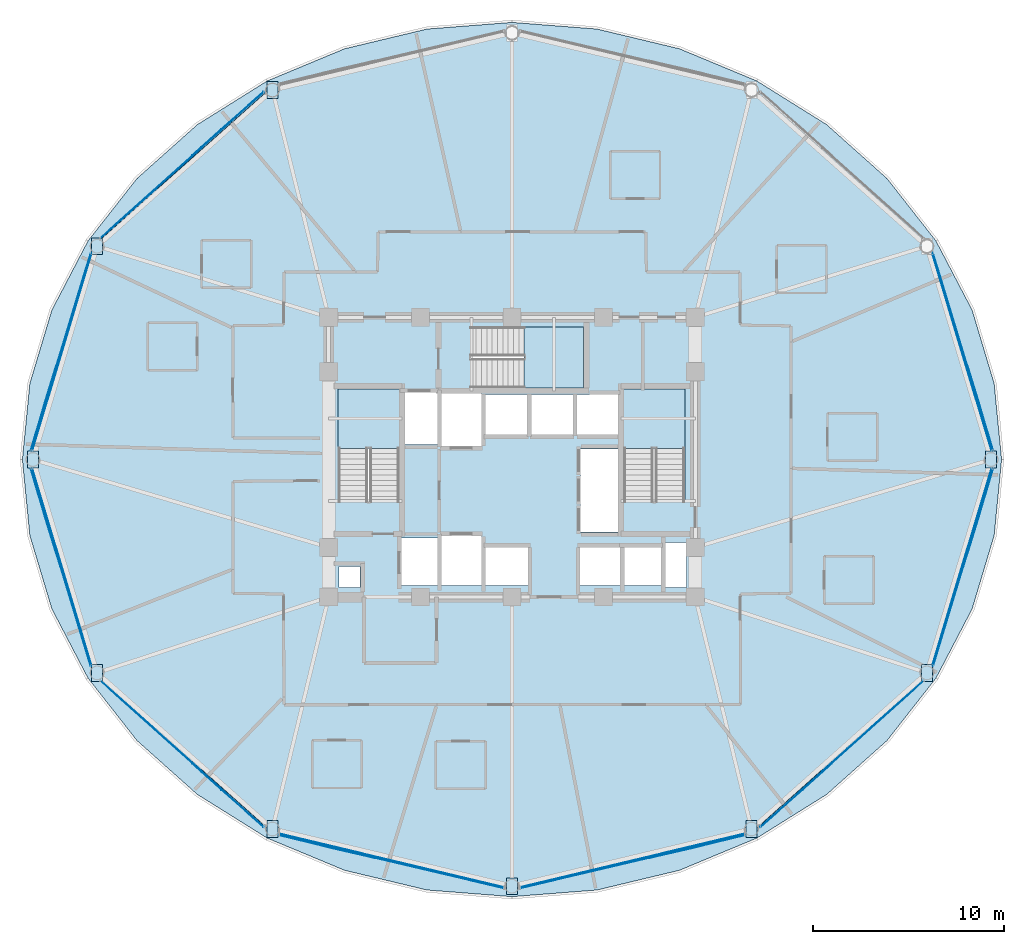
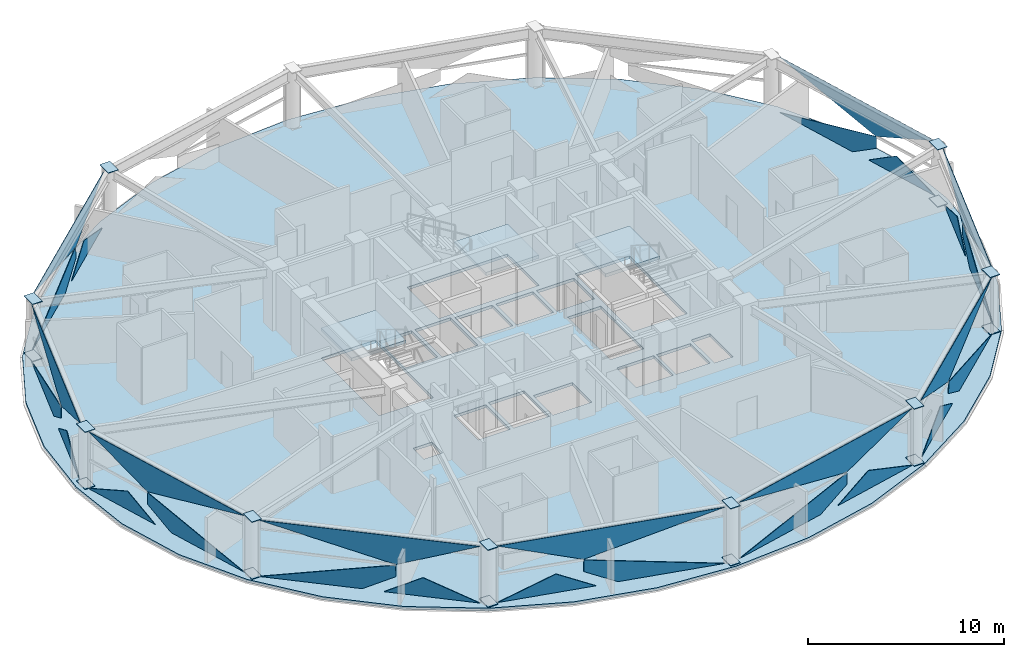
# One storey, part 22 of 30: 44 plates, 4 slabs, 12 elements without a shape of their own.
"""IFC4 building model written with IfcOpenShell, lengths in metres."""

from ifc_helpers import new_model, si_unit, direction, frame, origin, place, context, subcontext, project, spatial, polyline, outline, extrude, material, layer, layer_set, type_object, element, aggregate, save


model = new_model("IFC4")

# Units and contexts
model_context = context("Model", 3, precision=1e-05, world=origin(), true_north=direction((0.0, 1.0)))
body_context = subcontext(model_context, "Body", "Model", "MODEL_VIEW")
ifc_project = project(units=[si_unit("LENGTHUNIT", "METRE"), si_unit("AREAUNIT", "SQUARE_METRE"), si_unit("VOLUMEUNIT", "CUBIC_METRE"), si_unit("PLANEANGLEUNIT", "RADIAN"), si_unit("MASSUNIT", "GRAM", prefix="KILO")], contexts=[model_context])

# Site, building, storey
site_placement = place(None, origin())
site = spatial("IfcSite", under=ifc_project, at=site_placement, CompositionType="ELEMENT")
building_placement = place(site_placement, origin())
building = spatial("IfcBuilding", under=site, at=building_placement, Name="Vantalir Tower", CompositionType="ELEMENT")
storey_placement = place(building_placement, frame((0.0, 0.0, 130.949951171875)))
storey = spatial("IfcBuildingStorey", under=building, at=storey_placement, Name="L32", CompositionType="ELEMENT", Elevation=130.949951171875)

# Curtain wall, plates
ifc_material_1 = material(Name="Champagne-silver PVDF aluminium and double-silver Low-E glass", Category="aluminium")
ifc_layer_1 = layer(ifc_material_1, 0.199951171875)
ifc_layer_set_1 = layer_set([ifc_layer_1], Name="Champagne-silver PVDF aluminium and double-silver Low-E glass")
curtain_wall_type = type_object("IfcCurtainWallType", Name="CW-DIAMOND-Z2", PredefinedType="USERDEFINED", material=ifc_layer_set_1)
curtain_wall_1_placement = place(storey_placement, origin())
curtain_wall_1 = element("IfcCurtainWall", 1, at=curtain_wall_1_placement, inside=storey, type_object=curtain_wall_type, Name="L32 Quilted Pyramid-Diamond Curtain Wall S01", ObjectType="UNITISED CURTAIN WALL", PredefinedType="USERDEFINED")
ifc_material_2 = material(Name="Double-silver Low-E laminated glass IGU", Category="glass")
ifc_layer_2 = layer(ifc_material_2, 0.028076171875)
ifc_layer_set_2 = layer_set([ifc_layer_2], Name="Double-silver Low-E laminated glass IGU")
plate_type_1 = type_object("IfcPlateType", Name="CWP-IGU-28", PredefinedType="CURTAIN_PANEL", material=ifc_layer_set_2)
plate_1_placement = place(storey_placement, frame((54.989013671875, 30.96826171875, 0.046630859375), z_axis=(-0.957578313244, -0.287851522062, 0.013611585201), x_axis=(-0.287878193906, 0.957667032676, -1.73075e-07)))
plate_1 = element("IfcPlate", 2, at=plate_1_placement, type_object=plate_type_1, Name="CW-L32-S01 Pyramid Diamond Facet 1L", PredefinedType="CURTAIN_PANEL", context=body_context, shape_type="SweptSolid", body=[
    extrude(outline(polyline([(0.0, 0.0), (5.078023498284007, -3.469446951953614e-18), (-1.6493408518779857, -1.726478018149447), (-1.6494053634535746, -0.9993589963112217), (0.0, 0.0)])), origin(), (0.0, 0.0, -1.0), 0.028076171875),
])
plate_2_placement = place(storey_placement, frame((56.6826171875, 25.44482421875, 0.04638671875), z_axis=(-0.957578453639, -0.287841683298, 0.013808348282), x_axis=(-0.287869818606, 0.957669548859, -5.219761e-05)))
plate_2 = element("IfcPlate", 3, at=plate_2_placement, type_object=plate_type_1, Name="CW-L32-S01 Pyramid Diamond Facet 1L Infill Light", PredefinedType="CURTAIN_PANEL", context=body_context, shape_type="SweptSolid", body=[
    extrude(outline(polyline([(0.0, 0.0), (4.67723762566397, -8.673617379884035e-19), (2.767010988185683, -1.1574813494612612), (0.0, 0.0)])), origin(), (0.0, 0.0, -1.0), 0.028076171875),
])
plate_3_placement = place(storey_placement, frame((53.527099609375, 35.831298828125, 3.523681640625), z_axis=(0.957577940354, 0.287851013081, 0.013648531606), x_axis=(0.28787812154, -0.957667054165, -2.2490478e-05)))
plate_3 = element("IfcPlate", 4, at=plate_3_placement, type_object=plate_type_1, Name="CW-L32-S01 Pyramid Diamond Facet 2U", PredefinedType="CURTAIN_PANEL", context=body_context, shape_type="SweptSolid", body=[
    extrude(outline(polyline([(0.0, 0.0), (10.855288284081032, -7.074419175467916e-18), (6.727402879116276, 1.7265720204213648), (0.0, 0.0)])), origin(), (0.0, 0.0, -1.0), 0.028076171875),
])
aggregate(curtain_wall_1, [plate_1, plate_2, plate_3])

curtain_wall_2_placement = place(storey_placement, origin())
curtain_wall_2 = element("IfcCurtainWall", 5, at=curtain_wall_2_placement, inside=storey, type_object=curtain_wall_type, Name="L32 Quilted Pyramid-Diamond Curtain Wall S05", ObjectType="UNITISED CURTAIN WALL", PredefinedType="USERDEFINED")
plate_4_placement = place(storey_placement, frame((13.947265625, 40.13818359375, 0.046630859375), z_axis=(0.665305937894, -0.746444054793, 0.013757981952), x_axis=(-0.746514293482, -0.665369376794, -4.5309921e-05)))
plate_4 = element("IfcPlate", 6, at=plate_4_placement, type_object=plate_type_1, Name="CW-L32-S05 Pyramid Diamond Facet 1L", PredefinedType="CURTAIN_PANEL", context=body_context, shape_type="SweptSolid", body=[
    extrude(outline(polyline([(0.0, 0.0), (5.363068055500406, -1.599198204416119e-18), (-1.7522781557257059, -1.7266465255337624), (-1.7522929940740466, -1.0044113394873764), (0.0, 0.0)])), origin(), (0.0, 0.0, -1.0), 0.028076171875),
])
plate_5_placement = place(storey_placement, frame((18.498046875, 44.2373046875, 0.046142578125), z_axis=(0.665322999912, -0.746428855002, 0.013757550968), x_axis=(-0.746499503403, -0.665385971763, 0.0)))
plate_5 = element("IfcPlate", 7, at=plate_5_placement, type_object=plate_type_1, Name="CW-L32-S05 Pyramid Diamond Facet 1L Infill Light", PredefinedType="CURTAIN_PANEL", context=body_context, shape_type="SweptSolid", body=[
    extrude(outline(polyline([(0.0, 0.0), (4.978313551191819, 0.0), (2.9477912565549413, -1.164172676816261), (0.0, 0.0)])), origin(), (0.0, 0.0, -1.0), 0.028076171875),
])
plate_6_placement = place(storey_placement, frame((9.943603515625, 36.56982421875, 3.523681640625), z_axis=(-0.665308382718, 0.746442952306, 0.013699446595), x_axis=(0.74651281254, 0.665371039543, -2.1252429e-05)))
plate_6 = element("IfcPlate", 8, at=plate_6_placement, type_object=plate_type_1, Name="CW-L32-S05 Pyramid Diamond Facet 2U", PredefinedType="CURTAIN_PANEL", context=body_context, shape_type="SweptSolid", body=[
    extrude(outline(polyline([(0.0, 0.0), (11.487657612434347, -6.478107980600889e-18), (7.115304726978228, 1.7268174712053639), (0.0, 0.0)])), origin(), (0.0, 0.0, -1.0), 0.028076171875),
])
aggregate(curtain_wall_2, [plate_4, plate_5, plate_6])

curtain_wall_3_placement = place(storey_placement, origin())
curtain_wall_3 = element("IfcCurtainWall", 9, at=curtain_wall_3_placement, inside=storey, type_object=curtain_wall_type, Name="L32 Quilted Pyramid-Diamond Curtain Wall S06", ObjectType="UNITISED CURTAIN WALL", PredefinedType="USERDEFINED")
plate_7_placement = place(storey_placement, frame((9.472900390625, 35.831298828125, 0.046630859375), z_axis=(0.957578313244, -0.287851522062, 0.013611585201), x_axis=(-0.287878193906, -0.957667032676, 1.73075e-07)))
plate_7 = element("IfcPlate", 10, at=plate_7_placement, type_object=plate_type_1, Name="CW-L32-S06 Pyramid Diamond Facet 1L", PredefinedType="CURTAIN_PANEL", context=body_context, shape_type="SweptSolid", body=[
    extrude(outline(polyline([(0.0, 0.0), (5.078023498284007, 3.469446951953614e-18), (6.7274288617375815, -0.9993589963112217), (6.727364350161993, -1.726478018149447), (0.0, 0.0)])), origin(), (0.0, 0.0, -1.0), 0.028076171875),
])
plate_8_placement = place(storey_placement, frame((7.663818359375, 29.924072265625, 0.046142578125), z_axis=(0.957578453639, -0.287841683298, 0.013808348282), x_axis=(-0.287869818606, -0.957669548859, 5.219761e-05)))
plate_8 = element("IfcPlate", 11, at=plate_8_placement, type_object=plate_type_1, Name="CW-L32-S06 Pyramid Diamond Facet 1L Infill Light", PredefinedType="CURTAIN_PANEL", context=body_context, shape_type="SweptSolid", body=[
    extrude(outline(polyline([(0.0, 0.0), (4.67723762566397, 8.673617379884035e-19), (1.9102266374782864, -1.1574813494612612), (0.0, 0.0)])), origin(), (0.0, 0.0, -1.0), 0.028076171875),
])
plate_9_placement = place(storey_placement, frame((6.347900390625, 25.435546875, 3.5234375), z_axis=(-0.957577940354, 0.287851013081, 0.013648531606), x_axis=(0.28787812154, 0.957667054165, 2.2490478e-05)))
plate_9 = element("IfcPlate", 12, at=plate_9_placement, type_object=plate_type_1, Name="CW-L32-S06 Pyramid Diamond Facet 2U", PredefinedType="CURTAIN_PANEL", context=body_context, shape_type="SweptSolid", body=[
    extrude(outline(polyline([(0.0, 0.0), (10.855288284081032, 7.074419175467916e-18), (4.127885404964757, 1.7265720204213646), (0.0, 0.0)])), origin(), (0.0, 0.0, -1.0), 0.028076171875),
])
aggregate(curtain_wall_3, [plate_7, plate_8, plate_9])

curtain_wall_4_placement = place(storey_placement, origin())
curtain_wall_4 = element("IfcCurtainWall", 13, at=curtain_wall_4_placement, inside=storey, type_object=curtain_wall_type, Name="L32 Quilted Pyramid-Diamond Curtain Wall S07", ObjectType="UNITISED CURTAIN WALL", PredefinedType="USERDEFINED")
plate_10_placement = place(storey_placement, frame((8.010986328125, 19.03173828125, 0.046630859375), z_axis=(0.957576523177, 0.287853735901, 0.013690470726), x_axis=(0.287880715898, -0.957666274552, -1.0409e-08)))
plate_10 = element("IfcPlate", 14, at=plate_10_placement, type_object=plate_type_1, Name="CW-L32-S07 Pyramid Diamond Facet 1L", PredefinedType="CURTAIN_PANEL", context=body_context, shape_type="SweptSolid", body=[
    extrude(outline(polyline([(0.0, 0.0), (5.079029002785645, 0.0), (-1.6488730224606438, -1.7264801460081587), (-1.6489376260658248, -0.9991170036025403), (0.0, 0.0)])), origin(), (0.0, 0.0, -1.0), 0.028076171875),
])
plate_11_placement = place(storey_placement, frame((6.3173828125, 24.55517578125, 0.04638671875), z_axis=(0.957577649932, 0.2878414384, 0.013869055143), x_axis=(0.287869818606, -0.957669548859, -5.219761e-05)))
plate_11 = element("IfcPlate", 15, at=plate_11_placement, type_object=plate_type_1, Name="CW-L32-S07 Pyramid Diamond Facet 1L Infill Light", PredefinedType="CURTAIN_PANEL", context=body_context, shape_type="SweptSolid", body=[
    extrude(outline(polyline([(0.0, 0.0), (4.67723762566397, 2.8731357570865868e-18), (2.767244794227885, -1.1574823342580975), (0.0, 0.0)])), origin(), (0.0, 0.0, -1.0), 0.028076171875),
])
plate_12_placement = place(storey_placement, frame((9.47314453125, 14.167724609375, 3.523681640625), z_axis=(-0.957578265404, -0.287846557612, 0.013719507889), x_axis=(-0.287873946806, 0.957668309095, -2.2488395e-05)))
plate_12 = element("IfcPlate", 16, at=plate_12_placement, type_object=plate_type_1, Name="CW-L32-S07 Pyramid Diamond Facet 2U", PredefinedType="CURTAIN_PANEL", context=body_context, shape_type="SweptSolid", body=[
    extrude(outline(polyline([(0.0, 0.0), (10.856293788661283, -1.7103289270958832e-17), (6.727940665933472, 1.726573699573261), (0.0, 0.0)])), origin(), (0.0, 0.0, -1.0), 0.028076171875),
])
aggregate(curtain_wall_4, [plate_10, plate_11, plate_12])

curtain_wall_5_placement = place(storey_placement, origin())
curtain_wall_5 = element("IfcCurtainWall", 17, at=curtain_wall_5_placement, inside=storey, type_object=curtain_wall_type, Name="L32 Quilted Pyramid-Diamond Curtain Wall S08", ObjectType="UNITISED CURTAIN WALL", PredefinedType="USERDEFINED")
plate_13_placement = place(storey_placement, frame((9.943603515625, 13.42919921875, 0.04638671875), z_axis=(0.665298568276, 0.746450440856, 0.013767875479), x_axis=(0.746520777324, -0.665362102114, 4.5766697e-05)))
plate_13 = element("IfcPlate", 18, at=plate_13_placement, type_object=plate_type_1, Name="CW-L32-S08 Pyramid Diamond Facet 1L", PredefinedType="CURTAIN_PANEL", context=body_context, shape_type="SweptSolid", body=[
    extrude(outline(polyline([(0.0, 0.0), (5.3621964040670465, -4.038653092508504e-18), (7.114327279417456, -1.004408273180611), (7.114475116836122, -1.7266459602210424), (0.0, 0.0)])), origin(), (0.0, 0.0, -1.0), 0.028076171875),
])
plate_14_placement = place(storey_placement, frame((14.78076171875, 9.074951171875, 0.046142578125), z_axis=(0.665296363368, 0.746453987114, 0.013681886228), x_axis=(0.746523862783, -0.665358641859, 0.0)))
plate_14 = element("IfcPlate", 19, at=plate_14_placement, type_object=plate_type_1, Name="CW-L32-S08 Pyramid Diamond Facet 1L Infill Light", PredefinedType="CURTAIN_PANEL", context=body_context, shape_type="SweptSolid", body=[
    extrude(outline(polyline([(0.0, 0.0), (4.978151106780922, 0.0), (2.030703963724368, -1.1641714680629385), (0.0, 0.0)])), origin(), (0.0, 0.0, -1.0), 0.028076171875),
])
plate_15_placement = place(storey_placement, frame((18.518310546875, 5.78662109375, 3.5234375), z_axis=(-0.665302321017, -0.746446521778, 0.01379897728), x_axis=(-0.746517402695, 0.665365889584, 2.125498e-05)))
plate_15 = element("IfcPlate", 20, at=plate_15_placement, type_object=plate_type_1, Name="CW-L32-S08 Pyramid Diamond Facet 2U", PredefinedType="CURTAIN_PANEL", context=body_context, shape_type="SweptSolid", body=[
    extrude(outline(polyline([(0.0, 0.0), (11.48627881988337, -6.613633252161577e-18), (4.371845903231583, 1.7268198351276458), (0.0, 0.0)])), origin(), (0.0, 0.0, -1.0), 0.028076171875),
])
aggregate(curtain_wall_5, [plate_13, plate_14, plate_15])

curtain_wall_6_placement = place(storey_placement, origin())
curtain_wall_6 = element("IfcCurtainWall", 21, at=curtain_wall_6_placement, inside=storey, type_object=curtain_wall_type, Name="L32 Quilted Pyramid-Diamond Curtain Wall S09", ObjectType="UNITISED CURTAIN WALL", PredefinedType="USERDEFINED")
plate_16_placement = place(storey_placement, frame((25.540771484375, 3.88818359375, 0.04638671875), z_axis=(0.232278060086, 0.972551162804, 0.013825285911), x_axis=(0.972644121995, -0.232300262482, 4.243e-08)))
plate_16 = element("IfcPlate", 22, at=plate_16_placement, type_object=plate_type_1, Name="CW-L32-S09 Pyramid Diamond Facet 1L", PredefinedType="CURTAIN_PANEL", context=body_context, shape_type="SweptSolid", body=[
    extrude(outline(polyline([(0.0, 0.0), (5.672012632160406, 0.0), (-1.8193697119849759, -1.7272159350931253), (-1.819263680739674, -0.9978984252104487), (0.0, 0.0)])), origin(), (0.0, 0.0, -1.0), 0.028076171875),
])
plate_17_placement = place(storey_placement, frame((19.29296875, 5.34716796875, 0.046142578125), z_axis=(0.232265372394, 0.972555828951, 0.013709717712), x_axis=(0.972647240864, -0.232287203348, 0.0)))
plate_17 = element("IfcPlate", 23, at=plate_17_placement, type_object=plate_type_1, Name="CW-L32-S09 Pyramid Diamond Facet 1L Infill Light", PredefinedType="CURTAIN_PANEL", context=body_context, shape_type="SweptSolid", body=[
    extrude(outline(polyline([(0.0, 0.0), (5.230972146160444, 0.0), (3.103998184671589, -1.166369384047875), (0.0, 0.0)])), origin(), (0.0, 0.0, -1.0), 0.028076171875),
])
plate_18_placement = place(storey_placement, frame((31.0576171875, 2.570556640625, 3.523681640625), z_axis=(-0.232268606996, -0.972554172227, 0.013772301452), x_axis=(-0.972646485006, 0.232290367424, -2.0197406e-05)))
plate_18 = element("IfcPlate", 24, at=plate_18_placement, type_object=plate_type_1, Name="CW-L32-S09 Pyramid Diamond Facet 2U", PredefinedType="CURTAIN_PANEL", context=body_context, shape_type="SweptSolid", body=[
    extrude(outline(polyline([(0.0, 0.0), (12.0877217564365, 5.990217002982412e-18), (7.49141754020901, 1.7270632736424583), (0.0, 0.0)])), origin(), (0.0, 0.0, -1.0), 0.028076171875),
])
aggregate(curtain_wall_6, [plate_16, plate_17, plate_18])

curtain_wall_7_placement = place(storey_placement, origin())
curtain_wall_7 = element("IfcCurtainWall", 25, at=curtain_wall_7_placement, inside=storey, type_object=curtain_wall_type, Name="L32 Quilted Pyramid-Diamond Curtain Wall S10", ObjectType="UNITISED CURTAIN WALL", PredefinedType="USERDEFINED")
plate_19_placement = place(storey_placement, frame((31.9423828125, 2.570556640625, 0.04638671875), z_axis=(-0.232278060086, 0.972551162804, 0.013825285911), x_axis=(0.972644121995, 0.232300262482, -4.243e-08)))
plate_19 = element("IfcPlate", 26, at=plate_19_placement, type_object=plate_type_1, Name="CW-L32-S10 Pyramid Diamond Facet 1L", PredefinedType="CURTAIN_PANEL", context=body_context, shape_type="SweptSolid", body=[
    extrude(outline(polyline([(0.0, 0.0), (5.672012632160406, 0.0), (7.49127631290008, -0.9978984252104487), (7.491382344145382, -1.7272159350931253), (0.0, 0.0)])), origin(), (0.0, 0.0, -1.0), 0.028076171875),
])
plate_20_placement = place(storey_placement, frame((38.619140625, 4.132080078125, 0.046142578125), z_axis=(-0.232265372394, 0.972555828951, 0.013709717712), x_axis=(0.972647240864, 0.232287203348, 0.0)))
plate_20 = element("IfcPlate", 27, at=plate_20_placement, type_object=plate_type_1, Name="CW-L32-S10 Pyramid Diamond Facet 1L Infill Light", PredefinedType="CURTAIN_PANEL", context=body_context, shape_type="SweptSolid", body=[
    extrude(outline(polyline([(0.0, 0.0), (5.230972146160444, 0.0), (2.126973961488855, -1.166369384047875), (0.0, 0.0)])), origin(), (0.0, 0.0, -1.0), 0.028076171875),
])
plate_21_placement = place(storey_placement, frame((43.699462890625, 5.37841796875, 3.5234375), z_axis=(0.232268606996, -0.972554172227, 0.013772301452), x_axis=(-0.972646485006, -0.232290367424, 2.0197406e-05)))
plate_21 = element("IfcPlate", 28, at=plate_21_placement, type_object=plate_type_1, Name="CW-L32-S10 Pyramid Diamond Facet 2U", PredefinedType="CURTAIN_PANEL", context=body_context, shape_type="SweptSolid", body=[
    extrude(outline(polyline([(0.0, 0.0), (12.0877217564365, -5.990217002982412e-18), (4.596304216227491, 1.727063273642458), (0.0, 0.0)])), origin(), (0.0, 0.0, -1.0), 0.028076171875),
])
aggregate(curtain_wall_7, [plate_19, plate_20, plate_21])

curtain_wall_8_placement = place(storey_placement, origin())
curtain_wall_8 = element("IfcCurtainWall", 29, at=curtain_wall_8_placement, inside=storey, type_object=curtain_wall_type, Name="L32 Quilted Pyramid-Diamond Curtain Wall S11", ObjectType="UNITISED CURTAIN WALL", PredefinedType="USERDEFINED")
plate_22_placement = place(storey_placement, frame((49.053466796875, 9.861328125, 0.046630859375), z_axis=(-0.665298568276, 0.746450440856, 0.013767875479), x_axis=(0.746520777324, 0.665362102114, -4.5766697e-05)))
plate_22 = element("IfcPlate", 30, at=plate_22_placement, type_object=plate_type_1, Name="CW-L32-S11 Pyramid Diamond Facet 1L", PredefinedType="CURTAIN_PANEL", context=body_context, shape_type="SweptSolid", body=[
    extrude(outline(polyline([(0.0, 0.0), (5.3621964040670465, 4.038653092508504e-18), (-1.7522787127690758, -1.7266459602210427), (-1.7521308753504097, -1.004408273180611), (0.0, 0.0)])), origin(), (0.0, 0.0, -1.0), 0.028076171875),
])
plate_23_placement = place(storey_placement, frame((44.5029296875, 5.7626953125, 0.046142578125), z_axis=(-0.665296363368, 0.746453987114, 0.013681886228), x_axis=(0.746523862783, 0.665358641859, 0.0)))
plate_23 = element("IfcPlate", 31, at=plate_23_placement, type_object=plate_type_1, Name="CW-L32-S11 Pyramid Diamond Facet 1L Infill Light", PredefinedType="CURTAIN_PANEL", context=body_context, shape_type="SweptSolid", body=[
    extrude(outline(polyline([(0.0, 0.0), (4.978151106780922, 0.0), (2.9474471430565545, -1.1641714680629385), (0.0, 0.0)])), origin(), (0.0, 0.0, -1.0), 0.028076171875),
])
plate_24_placement = place(storey_placement, frame((53.056396484375, 13.42919921875, 3.523681640625), z_axis=(0.665302321017, -0.746446521778, 0.01379897728), x_axis=(-0.746517402695, -0.665365889584, -2.125498e-05)))
plate_24 = element("IfcPlate", 32, at=plate_24_placement, type_object=plate_type_1, Name="CW-L32-S11 Pyramid Diamond Facet 2U", PredefinedType="CURTAIN_PANEL", context=body_context, shape_type="SweptSolid", body=[
    extrude(outline(polyline([(0.0, 0.0), (11.48627881988337, 6.613633252161577e-18), (7.114432916651789, 1.7268198351276456), (0.0, 0.0)])), origin(), (0.0, 0.0, -1.0), 0.028076171875),
])
aggregate(curtain_wall_8, [plate_22, plate_23, plate_24])

curtain_wall_9_placement = place(storey_placement, origin())
curtain_wall_9 = element("IfcCurtainWall", 33, at=curtain_wall_9_placement, inside=storey, type_object=curtain_wall_type, Name="L32 Quilted Pyramid-Diamond Curtain Wall S12", ObjectType="UNITISED CURTAIN WALL", PredefinedType="USERDEFINED")
plate_25_placement = place(storey_placement, frame((53.52685546875, 14.167724609375, 0.046630859375), z_axis=(-0.957576523177, 0.287853735901, 0.013690470726), x_axis=(0.287880715898, 0.957666274552, 1.0409e-08)))
plate_25 = element("IfcPlate", 34, at=plate_25_placement, type_object=plate_type_1, Name="CW-L32-S12 Pyramid Diamond Facet 1L", PredefinedType="CURTAIN_PANEL", context=body_context, shape_type="SweptSolid", body=[
    extrude(outline(polyline([(0.0, 0.0), (5.079029002785645, 0.0), (6.72796662885147, -0.9991170036025403), (6.727902025246289, -1.7264801460081587), (0.0, 0.0)])), origin(), (0.0, 0.0, -1.0), 0.028076171875),
])
plate_26_placement = place(storey_placement, frame((55.336181640625, 20.075927734375, 0.046142578125), z_axis=(-0.957577649932, 0.2878414384, 0.013869055143), x_axis=(0.287869818606, 0.957669548859, 5.219761e-05)))
plate_26 = element("IfcPlate", 35, at=plate_26_placement, type_object=plate_type_1, Name="CW-L32-S12 Pyramid Diamond Facet 1L Infill Light", PredefinedType="CURTAIN_PANEL", context=body_context, shape_type="SweptSolid", body=[
    extrude(outline(polyline([(0.0, 0.0), (4.67723762566397, -2.8731357570865868e-18), (1.9099928314360846, -1.1574823342580975), (0.0, 0.0)])), origin(), (0.0, 0.0, -1.0), 0.028076171875),
])
plate_27_placement = place(storey_placement, frame((56.652099609375, 24.564453125, 3.5234375), z_axis=(0.957578265404, -0.287846557612, 0.013719507889), x_axis=(-0.287873946806, -0.957668309095, 2.2488395e-05)))
plate_27 = element("IfcPlate", 36, at=plate_27_placement, type_object=plate_type_1, Name="CW-L32-S12 Pyramid Diamond Facet 2U", PredefinedType="CURTAIN_PANEL", context=body_context, shape_type="SweptSolid", body=[
    extrude(outline(polyline([(0.0, 0.0), (10.856293788661283, 1.7103289270958832e-17), (4.128353122727812, 1.726573699573261), (0.0, 0.0)])), origin(), (0.0, 0.0, -1.0), 0.028076171875),
])
aggregate(curtain_wall_9, [plate_25, plate_26, plate_27])

# Plates
ifc_material_3 = material(Name="Steel S460", Category="steel")
ifc_layer_3 = layer(ifc_material_3, 0.035888671875)
ifc_layer_set_3 = layer_set([ifc_layer_3], Name="Steel S460")
plate_type_2 = type_object("IfcPlateType", Name="PLT-KN-Z2", PredefinedType="USERDEFINED", material=ifc_layer_set_3)
for number, where, z_axis, x_axis, name in (
    (37, (56.302978515625, 25.43994140625, 3.59814453125), (0.0, 0.0, 1.0), (0.0, -1.0, 0.0), "L32 Ring Column Top Cap RC01"),
    (38, (56.302978515625, 25.43994140625, 0.052978515625), (0.0, 0.0, 1.0), (0.0, -1.0, 0.0), "L32 Ring Column Base Cap RC01"),
):
    element("IfcPlate", number, at=place(storey_placement, frame(where, z_axis=z_axis, x_axis=x_axis)), inside=storey, type_object=plate_type_2, Name=name, ObjectType="FLANGE_PLATE", PredefinedType="USERDEFINED", context=body_context, shape_type="SweptSolid", body=[
        extrude(outline(polyline([(0.0, 0.0), (0.8798828125, 0.0), (0.8798828125, 0.580078125), (0.0, 0.580078125), (0.0, 0.0)])), origin(), (0.0, 0.0, -1.0), 0.035888671875),
    ])
plate_28_placement = place(storey_placement, frame((18.6640625, 44.791015625, 3.59814453125), z_axis=(0.0, 0.0, 1.0), x_axis=(0.0, -1.0, 0.0)))
element("IfcPlate", 39, at=plate_28_placement, inside=storey, type_object=plate_type_2, Name="L32 Ring Column Top Cap RC05", ObjectType="FLANGE_PLATE", PredefinedType="USERDEFINED", context=body_context, shape_type="SweptSolid", body=[
    extrude(outline(polyline([(0.0, 0.0), (0.880126953125, 0.0), (0.880126953125, 0.579833984375), (0.0, 0.579833984375), (0.0, 0.0)])), origin(), (0.0, 0.0, -1.0), 0.035888671875),
])
for number, where, z_axis, x_axis, name in (
    (40, (9.47900390625, 36.612060546875, 3.59814453125), (0.0, 0.0, 1.0), (0.0, -1.0, 0.0), "L32 Ring Column Top Cap RC06"),
    (41, (9.47900390625, 36.612060546875, 0.052978515625), (0.0, 0.0, 1.0), (0.0, -1.0, 0.0), "L32 Ring Column Base Cap RC06"),
):
    element("IfcPlate", number, at=place(storey_placement, frame(where, z_axis=z_axis, x_axis=x_axis)), inside=storey, type_object=plate_type_2, Name=name, ObjectType="FLANGE_PLATE", PredefinedType="USERDEFINED", context=body_context, shape_type="SweptSolid", body=[
        extrude(outline(polyline([(0.0, 0.0), (0.880126953125, 0.0), (0.880126953125, 0.580078125), (0.0, 0.580078125), (0.0, 0.0)])), origin(), (0.0, 0.0, -1.0), 0.035888671875),
    ])
for number, where, z_axis, x_axis, name in (
    (42, (6.116943359375, 25.43994140625, 3.59814453125), (0.0, 0.0, 1.0), (0.0, -1.0, 0.0), "L32 Ring Column Top Cap RC07"),
    (43, (6.116943359375, 25.43994140625, 0.052978515625), (0.0, 0.0, 1.0), (0.0, -1.0, 0.0), "L32 Ring Column Base Cap RC07"),
):
    element("IfcPlate", number, at=place(storey_placement, frame(where, z_axis=z_axis, x_axis=x_axis)), inside=storey, type_object=plate_type_2, Name=name, ObjectType="FLANGE_PLATE", PredefinedType="USERDEFINED", context=body_context, shape_type="SweptSolid", body=[
        extrude(outline(polyline([(0.0, 0.0), (0.8798828125, 0.0), (0.8798828125, 0.580078125), (0.0, 0.580078125), (0.0, 0.0)])), origin(), (0.0, 0.0, -1.0), 0.035888671875),
    ])
for number, where, z_axis, x_axis, name in (
    (44, (9.47900390625, 14.26708984375, 3.59814453125), (0.0, 0.0, 1.0), (0.0, -1.0, 0.0), "L32 Ring Column Top Cap RC08"),
    (45, (9.47900390625, 14.26708984375, 0.052978515625), (0.0, 0.0, 1.0), (0.0, -1.0, 0.0), "L32 Ring Column Base Cap RC08"),
):
    element("IfcPlate", number, at=place(storey_placement, frame(where, z_axis=z_axis, x_axis=x_axis)), inside=storey, type_object=plate_type_2, Name=name, ObjectType="FLANGE_PLATE", PredefinedType="USERDEFINED", context=body_context, shape_type="SweptSolid", body=[
        extrude(outline(polyline([(0.0, 0.0), (0.880126953125, 0.0), (0.880126953125, 0.580078125), (0.0, 0.580078125), (0.0, 0.0)])), origin(), (0.0, 0.0, -1.0), 0.035888671875),
    ])
for number, where, z_axis, x_axis, name in (
    (46, (18.6630859375, 6.089111328125, 3.59814453125), (0.0, 0.0, 1.0), (0.0, -1.0, 0.0), "L32 Ring Column Top Cap RC09"),
    (47, (18.6630859375, 6.089111328125, 0.052978515625), (0.0, 0.0, 1.0), (0.0, -1.0, 0.0), "L32 Ring Column Base Cap RC09"),
):
    element("IfcPlate", number, at=place(storey_placement, frame(where, z_axis=z_axis, x_axis=x_axis)), inside=storey, type_object=plate_type_2, Name=name, ObjectType="FLANGE_PLATE", PredefinedType="USERDEFINED", context=body_context, shape_type="SweptSolid", body=[
        extrude(outline(polyline([(0.0, 0.0), (0.880126953125, 0.0), (0.880126953125, 0.579833984375), (0.0, 0.579833984375), (0.0, 0.0)])), origin(), (0.0, 0.0, -1.0), 0.035888671875),
    ])
for number, where, z_axis, x_axis, name in (
    (48, (31.2099609375, 3.094970703125, 3.59814453125), (0.0, 0.0, 1.0), (0.0, -1.0, 0.0), "L32 Ring Column Top Cap RC10"),
    (49, (31.2099609375, 3.094970703125, 0.052978515625), (0.0, 0.0, 1.0), (0.0, -1.0, 0.0), "L32 Ring Column Base Cap RC10"),
):
    element("IfcPlate", number, at=place(storey_placement, frame(where, z_axis=z_axis, x_axis=x_axis)), inside=storey, type_object=plate_type_2, Name=name, ObjectType="FLANGE_PLATE", PredefinedType="USERDEFINED", context=body_context, shape_type="SweptSolid", body=[
        extrude(outline(polyline([(0.0, 0.0), (0.8798828125, 0.0), (0.8798828125, 0.580078125), (0.0, 0.580078125), (0.0, 0.0)])), origin(), (0.0, 0.0, -1.0), 0.035888671875),
    ])
for number, where, z_axis, x_axis, name in (
    (50, (43.757080078125, 6.089111328125, 3.59814453125), (0.0, 0.0, 1.0), (0.0, -1.0, 0.0), "L32 Ring Column Top Cap RC11"),
    (51, (43.757080078125, 6.089111328125, 0.052978515625), (0.0, 0.0, 1.0), (0.0, -1.0, 0.0), "L32 Ring Column Base Cap RC11"),
):
    element("IfcPlate", number, at=place(storey_placement, frame(where, z_axis=z_axis, x_axis=x_axis)), inside=storey, type_object=plate_type_2, Name=name, ObjectType="FLANGE_PLATE", PredefinedType="USERDEFINED", context=body_context, shape_type="SweptSolid", body=[
        extrude(outline(polyline([(0.0, 0.0), (0.880126953125, 0.0), (0.880126953125, 0.579833984375), (0.0, 0.579833984375), (0.0, 0.0)])), origin(), (0.0, 0.0, -1.0), 0.035888671875),
    ])
for number, where, z_axis, x_axis, name in (
    (52, (52.94091796875, 14.26708984375, 3.59814453125), (0.0, 0.0, 1.0), (0.0, -1.0, 0.0), "L32 Ring Column Top Cap RC12"),
    (53, (52.94091796875, 14.26708984375, 0.052978515625), (0.0, 0.0, 1.0), (0.0, -1.0, 0.0), "L32 Ring Column Base Cap RC12"),
):
    element("IfcPlate", number, at=place(storey_placement, frame(where, z_axis=z_axis, x_axis=x_axis)), inside=storey, type_object=plate_type_2, Name=name, ObjectType="FLANGE_PLATE", PredefinedType="USERDEFINED", context=body_context, shape_type="SweptSolid", body=[
        extrude(outline(polyline([(0.0, 0.0), (0.880126953125, 0.0), (0.880126953125, 0.580078125), (0.0, 0.580078125), (0.0, 0.0)])), origin(), (0.0, 0.0, -1.0), 0.035888671875),
    ])

# Stair, slab
ifc_material_4 = material(Name="Concrete C40/50", Category="concrete")
stair_type = type_object("IfcStairType", Name="STR-CORE-1450", PredefinedType="HALF_TURN_STAIR", material=ifc_material_4)
stair_1_placement = place(storey_placement, origin())
stair_1 = element("IfcStair", 54, at=stair_1_placement, inside=storey, type_object=stair_type, Name="L32 Core Exit Stair 1", PredefinedType="HALF_TURN_STAIR")
ifc_layer_4 = layer(ifc_material_4, 0.199951171875)
ifc_layer_set_4 = layer_set([ifc_layer_4], Name="Concrete C40/50")
slab_type_1 = type_object("IfcSlabType", Name="SL-LAND-200", PredefinedType="LANDING", material=ifc_layer_set_4)
slab_1_placement = place(storey_placement, frame((0.0, 0.0, 1.675048828125)))
slab_1 = element("IfcSlab", 55, at=slab_1_placement, type_object=slab_type_1, Name="ST1 landing 1", PredefinedType="LANDING", context=body_context, shape_type="SweptSolid", body=[
    extrude(outline(polyline([(25.60009765625, 25.590087890625), (25.60009765625, 28.699951171875), (22.39990234375, 28.699951171875), (22.39990234375, 25.590087890625), (25.60009765625, 25.590087890625)])), origin(), (0.0, 0.0, 1.0), 0.199951171875),
])
aggregate(stair_1, [slab_1])

stair_2_placement = place(storey_placement, origin())
stair_2 = element("IfcStair", 56, at=stair_2_placement, inside=storey, type_object=stair_type, Name="L32 Core Exit Stair 2", PredefinedType="HALF_TURN_STAIR")
slab_2_placement = place(storey_placement, frame((0.0, 0.0, 1.675048828125)))
slab_2 = element("IfcSlab", 57, at=slab_2_placement, type_object=slab_type_1, Name="ST2 landing 1", PredefinedType="LANDING", context=body_context, shape_type="SweptSolid", body=[
    extrude(outline(polyline([(40.550048828125, 25.590087890625), (40.550048828125, 28.699951171875), (37.35009765625, 28.699951171875), (37.35009765625, 25.590087890625), (40.550048828125, 25.590087890625)])), origin(), (0.0, 0.0, 1.0), 0.199951171875),
])
aggregate(stair_2, [slab_2])

stair_3_placement = place(storey_placement, origin())
stair_3 = element("IfcStair", 58, at=stair_3_placement, inside=storey, type_object=stair_type, Name="L32 Core Exit Stair 3", PredefinedType="HALF_TURN_STAIR")
slab_3_placement = place(storey_placement, frame((0.0, 0.0, 1.675048828125)))
slab_3 = element("IfcSlab", 59, at=slab_3_placement, type_object=slab_type_1, Name="ST3 landing 1", PredefinedType="LANDING", context=body_context, shape_type="SweptSolid", body=[
    extrude(outline(polyline([(32.139892578125, 28.75), (35.25, 28.75), (35.25, 31.949951171875), (32.139892578125, 31.949951171875), (32.139892578125, 28.75)])), origin(), (0.0, 0.0, 1.0), 0.199951171875),
])
aggregate(stair_3, [slab_3])

# Slab
ifc_layer_5 = layer(ifc_material_4, 0.179931640625)
ifc_layer_set_5 = layer_set([ifc_layer_5], Name="Concrete C40/50")
slab_type_2 = type_object("IfcSlabType", Name="SL-TWR-180", PredefinedType="FLOOR", material=ifc_layer_set_5)
slab_4_placement = place(storey_placement, frame((0.0, 0.0, -0.179931640625)))
element("IfcSlab", 60, at=slab_4_placement, inside=storey, type_object=slab_type_2, Name="L32 Primary Structural Slab", PredefinedType="FLOOR", context=body_context, shape_type="SweptSolid", body=[
    extrude(outline(polyline([(9.29296875, 13.552001953125), (11.85595703125, 10.282958984375), (15.01708984375, 7.4609375), (18.677978515625, 5.172119140625), (22.72998046875, 3.486083984375), (27.047119140625, 2.452880859375), (31.5, 2.10498046875), (35.952880859375, 2.452880859375), (40.27001953125, 3.486083984375), (44.322021484375, 5.172119140625), (47.98291015625, 7.4609375), (51.14404296875, 10.282958984375), (53.70703125, 13.552001953125), (55.596923828125, 17.1689453125), (56.7529296875, 21.02392578125), (57.14306640625, 25.0), (56.7529296875, 28.97607421875), (55.596923828125, 32.8310546875), (53.70703125, 36.447021484375), (51.14404296875, 39.717041015625), (47.98291015625, 42.5390625), (44.322021484375, 44.827880859375), (40.27001953125, 46.513916015625), (35.952880859375, 47.547119140625), (31.5, 47.89501953125), (27.047119140625, 47.547119140625), (22.72998046875, 46.513916015625), (18.678955078125, 44.827880859375), (15.01708984375, 42.5390625), (11.85595703125, 39.717041015625), (9.29296875, 36.447021484375), (7.403076171875, 32.8310546875), (6.2470703125, 28.97607421875), (5.85693359375, 25.0), (6.2470703125, 21.02392578125), (7.403076171875, 17.1689453125), (9.29296875, 13.552001953125)]), holes=[polyline([(22.39990234375, 22.7900390625), (22.39990234375, 28.699951171875), (25.60009765625, 28.699951171875), (25.60009765625, 22.7900390625), (22.39990234375, 22.7900390625)]), polyline([(37.35009765625, 28.699951171875), (40.550048828125, 28.699951171875), (40.550048828125, 22.7900390625), (37.35009765625, 22.7900390625), (37.35009765625, 28.699951171875)]), polyline([(35.25, 28.75), (29.340087890625, 28.75), (29.340087890625, 31.949951171875), (35.25, 31.949951171875), (35.25, 28.75)]), polyline([(27.60009765625, 18.39990234375), (25.699951171875, 18.39990234375), (25.699951171875, 20.89990234375), (27.60009765625, 20.89990234375), (27.60009765625, 18.39990234375)]), polyline([(25.699951171875, 25.800048828125), (25.699951171875, 28.5), (27.60009765625, 28.5), (27.60009765625, 25.800048828125), (25.699951171875, 25.800048828125)]), polyline([(27.800048828125, 21.0), (29.89990234375, 21.0), (29.89990234375, 18.39990234375), (27.800048828125, 18.39990234375), (27.800048828125, 21.0)]), polyline([(29.89990234375, 28.5), (29.89990234375, 25.699951171875), (27.800048828125, 25.699951171875), (27.800048828125, 28.5), (29.89990234375, 28.5)]), polyline([(32.39990234375, 18.39990234375), (30.10009765625, 18.39990234375), (30.10009765625, 20.39990234375), (32.39990234375, 20.39990234375), (32.39990234375, 18.39990234375)]), polyline([(37.35009765625, 18.39990234375), (37.35009765625, 20.39990234375), (39.35009765625, 20.39990234375), (39.35009765625, 18.39990234375), (37.35009765625, 18.39990234375)]), polyline([(35.0, 20.39990234375), (37.199951171875, 20.39990234375), (37.199951171875, 18.39990234375), (35.0, 18.39990234375), (35.0, 20.39990234375)]), polyline([(32.300048828125, 28.39990234375), (32.300048828125, 26.300048828125), (30.10009765625, 26.300048828125), (30.10009765625, 28.39990234375), (32.300048828125, 28.39990234375)]), polyline([(34.699951171875, 26.300048828125), (32.5, 26.300048828125), (32.5, 28.39990234375), (34.699951171875, 28.39990234375), (34.699951171875, 26.300048828125)]), polyline([(34.89990234375, 26.300048828125), (34.89990234375, 28.39990234375), (37.10009765625, 28.39990234375), (37.10009765625, 26.300048828125), (34.89990234375, 26.300048828125)]), polyline([(35.10009765625, 25.56005859375), (37.06005859375, 25.56005859375), (37.06005859375, 21.199951171875), (35.10009765625, 21.199951171875), (35.10009765625, 25.56005859375)]), polyline([(23.550048828125, 19.39990234375), (23.550048828125, 18.300048828125), (22.449951171875, 18.300048828125), (22.449951171875, 19.39990234375), (23.550048828125, 19.39990234375)]), polyline([(40.64990234375, 18.300048828125), (39.550048828125, 18.300048828125), (39.550048828125, 20.64990234375), (40.64990234375, 20.64990234375), (40.64990234375, 18.300048828125)])]), origin(), (0.0, 0.0, 1.0), 0.179931640625),
])

save(model, "model.ifc")
